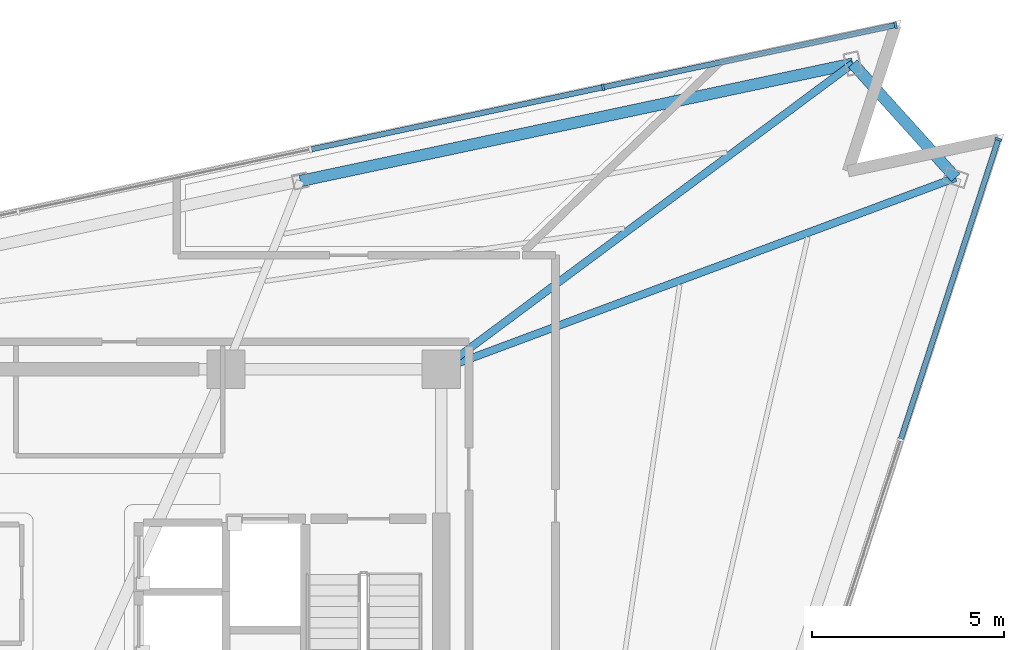
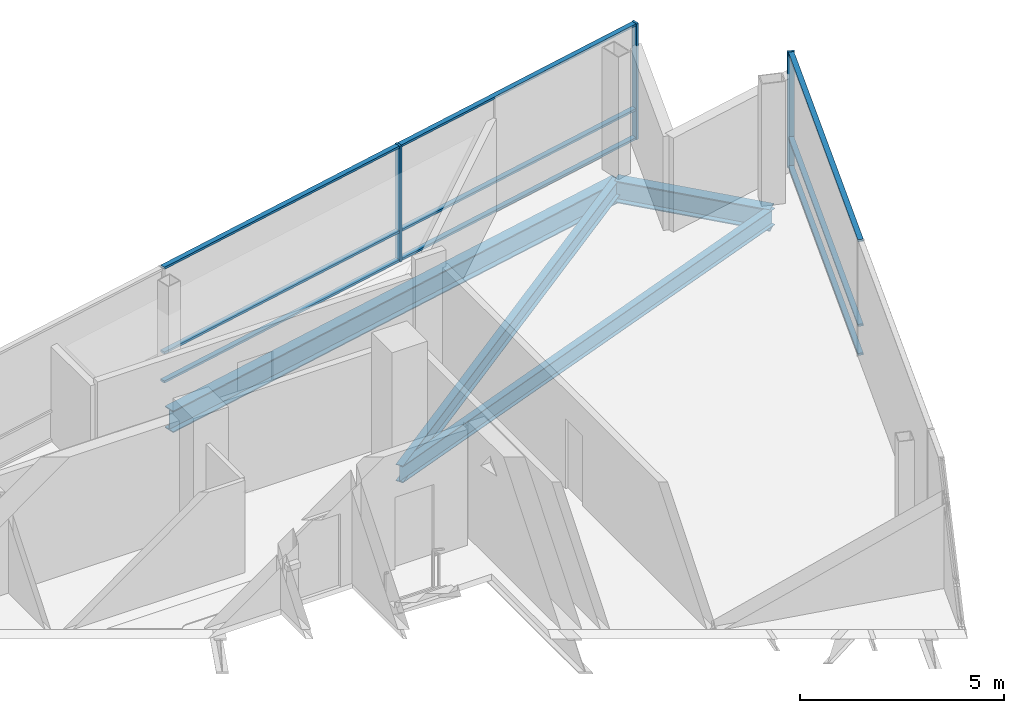
# One storey, part 8 of 15: 12 members, 4 beams, 2 elements without a shape of their own.
"""IFC4 building model written with IfcOpenShell, lengths in metres."""

from ifc_helpers import new_model, si_unit, direction, frame, origin, origin_2d, place, context, subcontext, project, spatial, rectangle, i_section, extrude, material, layer, layer_set, material_profile, profile_set, type_object, element, aggregate, save


model = new_model("IFC4")

# Units and contexts
model_context = context("Model", 3, precision=1e-05, world=origin(), true_north=direction((0.0, 1.0)))
body_context = subcontext(model_context, "Body", "Model", "MODEL_VIEW")
ifc_project = project(units=[si_unit("LENGTHUNIT", "METRE"), si_unit("AREAUNIT", "SQUARE_METRE"), si_unit("VOLUMEUNIT", "CUBIC_METRE"), si_unit("PLANEANGLEUNIT", "RADIAN"), si_unit("MASSUNIT", "GRAM", prefix="KILO")], contexts=[model_context])

# Site, building, storey
site_placement = place(None, origin())
site = spatial("IfcSite", under=ifc_project, at=site_placement, CompositionType="ELEMENT")
building_placement = place(site_placement, origin())
building = spatial("IfcBuilding", under=site, at=building_placement, Name="Tharavind Bronze Gate", CompositionType="ELEMENT")
storey_placement = place(building_placement, frame((0.0, 0.0, 290.699951171875)))
storey = spatial("IfcBuildingStorey", under=building, at=storey_placement, Name="L75", CompositionType="ELEMENT", Elevation=290.699951171875)

# Curtain wall, member
ifc_material_1 = material(Name="Anodised Bronze Aluminium", Category="aluminium")
ifc_layer = layer(ifc_material_1, 0.219970703125)
ifc_layer_set = layer_set([ifc_layer], Name="Anodised Bronze Aluminium")
curtain_wall_type = type_object("IfcCurtainWallType", Name="UNITISED CURTAIN WALL CROWN", PredefinedType="USERDEFINED", material=ifc_layer_set)
curtain_wall_1_placement = place(storey_placement, origin())
curtain_wall_1 = element("IfcCurtainWall", 1, at=curtain_wall_1_placement, inside=storey, type_object=curtain_wall_type, Name="L75 unitised curtain wall crown CW-L75-S2", ObjectType="UNITISED CURTAIN WALL", PredefinedType="USERDEFINED")
member_type_1 = type_object("IfcMemberType", Name="CURTAIN WALL BRONZE MULLION 65X180", PredefinedType="MULLION", material=ifc_material_1)
member_1_placement = place(storey_placement, frame((23.433837890625, 13.603271484375, 0.0), z_axis=(0.0, 0.0, 1.0), x_axis=(0.309016994375, 0.951056516295, 0.0)))
member_1 = element("IfcMember", 2, at=member_1_placement, type_object=member_type_1, Name="CW-L75-S2 mullion 7", PredefinedType="MULLION", context=body_context, shape_type="SweptSolid", body=[
    extrude(rectangle(XDim=0.06494140625, YDim=0.179931640625, at=origin_2d()), origin(), (0.0, 0.0, 1.0), 3.465087890625),
])

# Curtain wall, members
curtain_wall_2_placement = place(storey_placement, origin())
curtain_wall_2 = element("IfcCurtainWall", 3, at=curtain_wall_2_placement, inside=storey, type_object=curtain_wall_type, Name="L75 unitised curtain wall crown CW-L75-S3", ObjectType="UNITISED CURTAIN WALL", PredefinedType="USERDEFINED")
member_2_placement = place(storey_placement, frame((20.751953125, 16.581787109375, 0.0), z_axis=(0.0, 0.0, 1.0), x_axis=(-0.978147237858, -0.207913398007, 0.0)))
member_2 = element("IfcMember", 4, at=member_2_placement, type_object=member_type_1, Name="CW-L75-S3 mullion 1", PredefinedType="MULLION", context=body_context, shape_type="SweptSolid", body=[
    extrude(rectangle(XDim=0.06494140625, YDim=0.179931640625, at=origin_2d()), origin(), (0.0, 0.0, 1.0), 3.465087890625),
])
member_3_placement = place(storey_placement, frame((13.119873046875, 14.959716796875, 0.0), z_axis=(0.0, 0.0, 1.0), x_axis=(-0.978147237858, -0.207913398007, 0.0)))
member_3 = element("IfcMember", 5, at=member_3_placement, type_object=member_type_1, Name="CW-L75-S3 mullion 2", PredefinedType="MULLION", context=body_context, shape_type="SweptSolid", body=[
    extrude(rectangle(XDim=0.06494140625, YDim=0.179931640625, at=origin_2d()), origin(), (0.0, 0.0, 1.0), 3.465087890625),
])

# Member
member_type_2 = type_object("IfcMemberType", Name="CURTAIN WALL BRONZE TRANSOM 65X140", PredefinedType="USERDEFINED", material=ifc_material_1)
member_4_placement = place(storey_placement, frame((22.159423828125, 9.68115234375, 0.0), z_axis=(0.0, 0.0, 1.0), x_axis=(0.309016994375, 0.951056516295, 0.0)))
member_4 = element("IfcMember", 6, at=member_4_placement, type_object=member_type_2, Name="CW-L75-S2 transom TB6", ObjectType="TRANSOM", PredefinedType="USERDEFINED", context=body_context, shape_type="SweptSolid", body=[
    extrude(rectangle(XDim=8.195068359375, YDim=0.139892578125, at=origin_2d()), origin(), (0.0, 0.0, 1.0), 0.06494140625),
])

member_5_placement = place(storey_placement, frame((22.159423828125, 9.68115234375, 0.86767578125), z_axis=(0.0, 0.0, 1.0), x_axis=(0.309016994375, 0.951056516295, 0.0)))
member_5 = element("IfcMember", 7, at=member_5_placement, type_object=member_type_2, Name="CW-L75-S2 transom TS6", ObjectType="TRANSOM", PredefinedType="USERDEFINED", context=body_context, shape_type="SweptSolid", body=[
    extrude(rectangle(XDim=8.195068359375, YDim=0.139892578125, at=origin_2d()), origin(), (0.0, 0.0, 1.0), 0.06494140625),
])

member_6_placement = place(storey_placement, frame((22.159423828125, 9.68115234375, 3.400146484375), z_axis=(0.0, 0.0, 1.0), x_axis=(0.309016994375, 0.951056516295, 0.0)))
member_6 = element("IfcMember", 8, at=member_6_placement, type_object=member_type_2, Name="CW-L75-S2 transom TT6", ObjectType="TRANSOM", PredefinedType="USERDEFINED", context=body_context, shape_type="SweptSolid", body=[
    extrude(rectangle(XDim=8.195068359375, YDim=0.139892578125, at=origin_2d()), origin(), (0.0, 0.0, 1.0), 0.06494140625),
])

aggregate(curtain_wall_1, [member_1, member_4, member_5, member_6])

member_7_placement = place(storey_placement, frame((16.935791015625, 15.770751953125, 0.0), z_axis=(0.0, 0.0, 1.0), x_axis=(-0.978147237858, -0.207913398007, 0.0)))
member_7 = element("IfcMember", 9, at=member_7_placement, type_object=member_type_2, Name="CW-L75-S3 transom TB1", ObjectType="TRANSOM", PredefinedType="USERDEFINED", context=body_context, shape_type="SweptSolid", body=[
    extrude(rectangle(XDim=7.749755859375, YDim=0.139892578125, at=origin_2d()), origin(), (0.0, 0.0, 1.0), 0.06494140625),
])

member_8_placement = place(storey_placement, frame((16.935791015625, 15.770751953125, 0.86767578125), z_axis=(0.0, 0.0, 1.0), x_axis=(-0.978147237858, -0.207913398007, 0.0)))
member_8 = element("IfcMember", 10, at=member_8_placement, type_object=member_type_2, Name="CW-L75-S3 transom TS1", ObjectType="TRANSOM", PredefinedType="USERDEFINED", context=body_context, shape_type="SweptSolid", body=[
    extrude(rectangle(XDim=7.749755859375, YDim=0.139892578125, at=origin_2d()), origin(), (0.0, 0.0, 1.0), 0.06494140625),
])

member_9_placement = place(storey_placement, frame((16.935791015625, 15.770751953125, 3.400146484375), z_axis=(0.0, 0.0, 1.0), x_axis=(-0.978147237858, -0.207913398007, 0.0)))
member_9 = element("IfcMember", 11, at=member_9_placement, type_object=member_type_2, Name="CW-L75-S3 transom TT1", ObjectType="TRANSOM", PredefinedType="USERDEFINED", context=body_context, shape_type="SweptSolid", body=[
    extrude(rectangle(XDim=7.749755859375, YDim=0.139892578125, at=origin_2d()), origin(), (0.0, 0.0, 1.0), 0.06494140625),
])

member_10_placement = place(storey_placement, frame((9.3037109375, 14.1484375, 0.0), z_axis=(0.0, 0.0, 1.0), x_axis=(-0.978147237858, -0.207913398007, 0.0)))
member_10 = element("IfcMember", 12, at=member_10_placement, type_object=member_type_2, Name="CW-L75-S3 transom TB2", ObjectType="TRANSOM", PredefinedType="USERDEFINED", context=body_context, shape_type="SweptSolid", body=[
    extrude(rectangle(XDim=7.749755859375, YDim=0.139892578125, at=origin_2d()), origin(), (0.0, 0.0, 1.0), 0.06494140625),
])

member_11_placement = place(storey_placement, frame((9.3037109375, 14.1484375, 0.86767578125), z_axis=(0.0, 0.0, 1.0), x_axis=(-0.978147237858, -0.207913398007, 0.0)))
member_11 = element("IfcMember", 13, at=member_11_placement, type_object=member_type_2, Name="CW-L75-S3 transom TS2", ObjectType="TRANSOM", PredefinedType="USERDEFINED", context=body_context, shape_type="SweptSolid", body=[
    extrude(rectangle(XDim=7.749755859375, YDim=0.139892578125, at=origin_2d()), origin(), (0.0, 0.0, 1.0), 0.06494140625),
])

member_12_placement = place(storey_placement, frame((9.3037109375, 14.1484375, 3.400146484375), z_axis=(0.0, 0.0, 1.0), x_axis=(-0.978147237858, -0.207913398007, 0.0)))
member_12 = element("IfcMember", 14, at=member_12_placement, type_object=member_type_2, Name="CW-L75-S3 transom TT2", ObjectType="TRANSOM", PredefinedType="USERDEFINED", context=body_context, shape_type="SweptSolid", body=[
    extrude(rectangle(XDim=7.749755859375, YDim=0.139892578125, at=origin_2d()), origin(), (0.0, 0.0, 1.0), 0.06494140625),
])

aggregate(curtain_wall_2, [member_2, member_3, member_7, member_8, member_9, member_10, member_11, member_12])

# Beams
ifc_material_2 = material(Name="Steel S355", Category="steel")
ifc_material_profile_1 = material_profile(ifc_material_2, i_section(OverallWidth=0.300048828125, OverallDepth=0.64990234375, WebThickness=0.01611328125, FlangeThickness=0.031005859375, at=origin_2d()), Name="HE650B")
ifc_profile_set_1 = profile_set([ifc_material_profile_1], Name="Steel S355")
beam_type_1 = type_object("IfcBeamType", Name="PRIMARY GIRDER HE650B", PredefinedType="USERDEFINED", material=ifc_profile_set_1)
beam_1_placement = place(storey_placement, frame((22.319091796875, 12.599609375, -0.510009765625), z_axis=(-0.669132983361, 0.743142685208, 0.0), x_axis=(-0.743142685208, -0.669132983361, 0.0)))
element("IfcBeam", 15, at=beam_1_placement, inside=storey, type_object=beam_type_1, Name="L75 primary girder he650b BM-L75-PRG08", ObjectType="GIRDER", PredefinedType="USERDEFINED", context=body_context, shape_type="SweptSolid", body=[
    extrude(i_section(OverallWidth=0.300048828125, OverallDepth=0.64990234375, WebThickness=0.01611328125, FlangeThickness=0.031005859375, at=origin_2d()), origin(), (0.0, 0.0, 1.0), 4.008056640625),
])
beam_2_placement = place(storey_placement, frame((19.63720703125, 15.578125, -0.510009765625), z_axis=(-0.97814794647, -0.207910064249, 0.0), x_axis=(0.207910064249, -0.97814794647, 0.0)))
element("IfcBeam", 16, at=beam_2_placement, inside=storey, type_object=beam_type_1, Name="L75 primary girder he650b BM-L75-PRG09", ObjectType="GIRDER", PredefinedType="USERDEFINED", context=body_context, shape_type="SweptSolid", body=[
    extrude(i_section(OverallWidth=0.300048828125, OverallDepth=0.64990234375, WebThickness=0.01611328125, FlangeThickness=0.031005859375, at=origin_2d()), origin(), (0.0, 0.0, 1.0), 14.7392578125),
])
ifc_material_profile_2 = material_profile(ifc_material_2, i_section(OverallWidth=0.199951171875, OverallDepth=0.5, WebThickness=0.01025390625, FlangeThickness=0.01611328125, at=origin_2d()), Name="IPE500")
ifc_profile_set_2 = profile_set([ifc_material_profile_2], Name="Steel S355")
beam_type_2 = type_object("IfcBeamType", Name="PRIMARY GIRDER IPE500", PredefinedType="USERDEFINED", material=ifc_profile_set_2)
beam_3_placement = place(storey_placement, frame((22.319091796875, 12.599609375, -0.43505859375), z_axis=(-0.937077412275, -0.349121645567, 0.0), x_axis=(0.349121645567, -0.937077412275, 0.0)))
element("IfcBeam", 17, at=beam_3_placement, inside=storey, type_object=beam_type_2, Name="L75 primary girder ipe500 BM-L75-RAD08", ObjectType="GIRDER", PredefinedType="USERDEFINED", context=body_context, shape_type="SweptSolid", body=[
    extrude(i_section(OverallWidth=0.199951171875, OverallDepth=0.5, WebThickness=0.01025390625, FlangeThickness=0.01611328125, at=origin_2d()), origin(), (0.0, 0.0, 1.0), 14.3203125),
])
beam_4_placement = place(storey_placement, frame((19.63720703125, 15.578125, -0.43505859375), z_axis=(-0.802681438581, -0.596408004774, 0.0), x_axis=(0.596408004774, -0.802681438581, 0.0)))
element("IfcBeam", 18, at=beam_4_placement, inside=storey, type_object=beam_type_2, Name="L75 primary girder ipe500 BM-L75-RAD09", ObjectType="GIRDER", PredefinedType="USERDEFINED", context=body_context, shape_type="SweptSolid", body=[
    extrude(i_section(OverallWidth=0.199951171875, OverallDepth=0.5, WebThickness=0.01025390625, FlangeThickness=0.01611328125, at=origin_2d()), origin(), (0.0, 0.0, 1.0), 13.376708984375),
])

save(model, "model.ifc")
